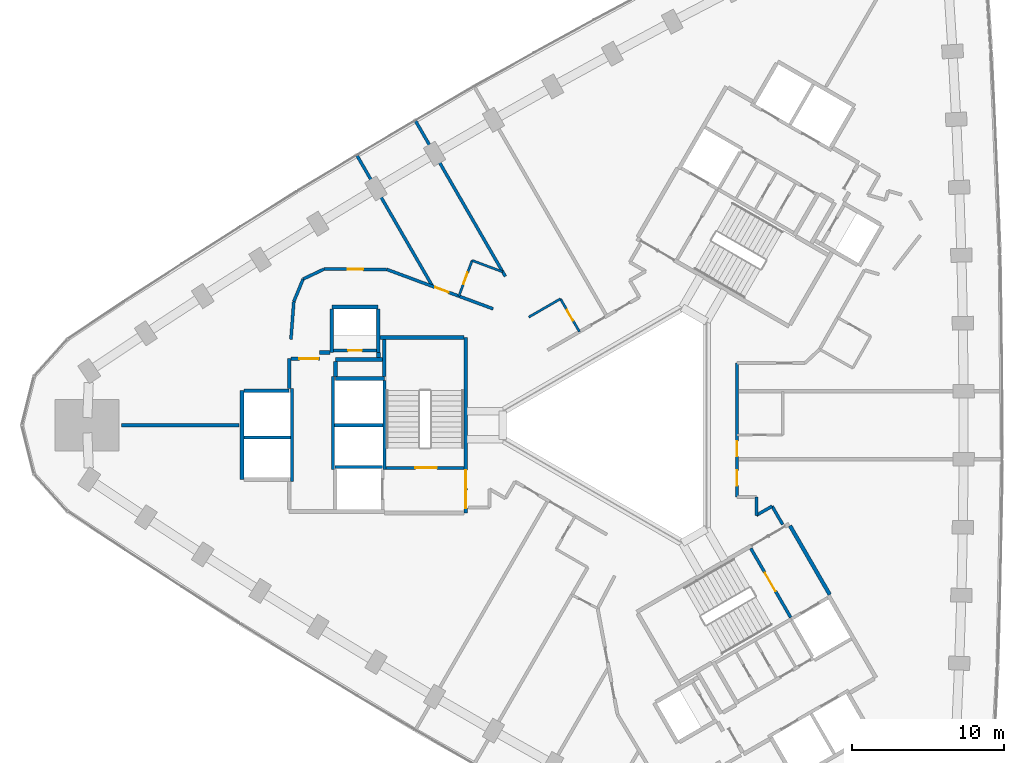
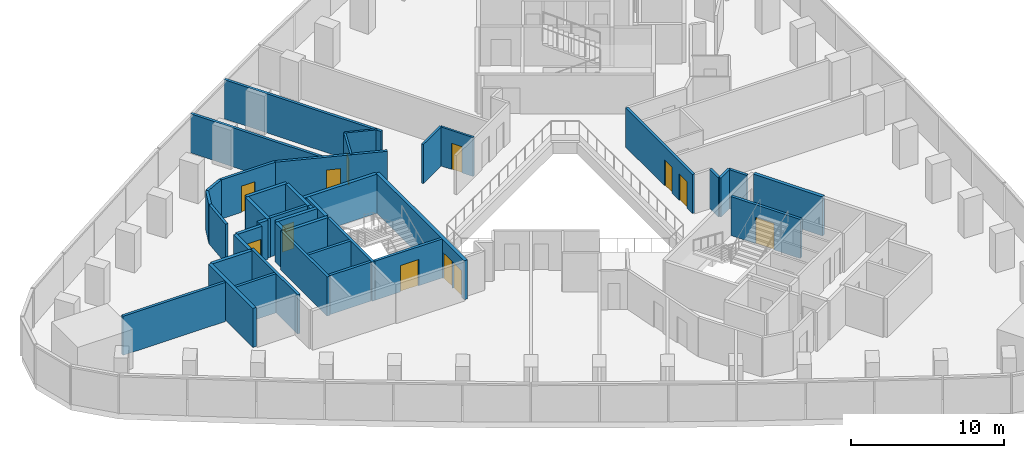
# One storey, part 10 of 13: 41 walls, 12 doors, 12 openings.
"""IFC4 building model written with IfcOpenShell, lengths in metres."""

import ifcopenshell
import ifcopenshell.guid

model = None  # the IFC model being written
_history = None  # IfcOwnerHistory: only IFC2X3 demands one
_inside = {}  # id of a spatial element -> (the spatial element, [elements in it])
_under = {}  # id of a project, library or spatial element -> (it, [spatial elements below it])
_declared = {}  # id of a project -> (the project, [libraries it declares])
_typed = {}  # id of a type object -> (the type object, [elements of that type])
_made_of = {}  # id of a material, layer set ... -> (it, [elements and type objects made of it])


def new_model(schema):
    """Start an empty IFC model of exactly this schema.

    Asked for "IFC4X3", IfcOpenShell would pick the latest addendum, in which some entities
    have other attributes; the version numbers below select the first issue.
    IFC2X3 requires an IfcOwnerHistory on every rooted entity: one is made here for all.
    """
    global model, _history
    if schema == "IFC4X3":
        model = ifcopenshell.file(schema_version=(4, 3, 0, 0))
    else:
        model = ifcopenshell.file(schema=schema)
    _inside.clear()
    _under.clear()
    _declared.clear()
    _typed.clear()
    _made_of.clear()
    _history = None
    if model.schema == "IFC2X3":
        org = make("IfcOrganization", Name="unknown")
        user = make(
            "IfcPersonAndOrganization",
            ThePerson=make("IfcPerson", FamilyName="unknown"),
            TheOrganization=org,
        )
        app = make(
            "IfcApplication",
            ApplicationDeveloper=org,
            Version="unknown",
            ApplicationFullName="unknown",
            ApplicationIdentifier="unknown",
        )
        _history = make(
            "IfcOwnerHistory",
            OwningUser=user,
            OwningApplication=app,
            ChangeAction="ADDED",
            CreationDate=0,
        )
    return model


def make(cls, **values):
    """One entity of the class cls with the attributes given. An attribute that is None is left unset."""
    return model.create_entity(
        cls, **{name: value for name, value in values.items() if value is not None}
    )


def rooted(cls, **values):
    """An entity with a GlobalId (a new one), such as an element, a storey or a relation."""
    return make(cls, GlobalId=ifcopenshell.guid.new(), OwnerHistory=_history, **values)


def si_unit(unit_type, name, prefix=None):
    """IfcSIUnit, for example si_unit("LENGTHUNIT", "METRE", prefix="MILLI")."""
    return make("IfcSIUnit", UnitType=unit_type, Prefix=prefix, Name=name)


def assignment(units):
    """IfcUnitAssignment: the units of a project."""
    return None if units is None else make("IfcUnitAssignment", Units=units)


def point(xyz):
    """IfcCartesianPoint."""
    return None if xyz is None else make("IfcCartesianPoint", Coordinates=xyz)


def direction(xyz):
    """IfcDirection."""
    return None if xyz is None else make("IfcDirection", DirectionRatios=xyz)


def frame(location, z_axis=None, x_axis=None):
    """IfcAxis2Placement3D, a coordinate frame: its origin and axes. An axis left out is left unset."""
    return make(
        "IfcAxis2Placement3D",
        Location=point(location),
        Axis=direction(z_axis),
        RefDirection=direction(x_axis),
    )


def frame_2d(location, x_axis=None):
    """IfcAxis2Placement2D, a coordinate frame in the plane: its origin and x axis."""
    return make(
        "IfcAxis2Placement2D", Location=point(location), RefDirection=direction(x_axis)
    )


def origin():
    """The frame at (0, 0, 0) with its axes left unset."""
    return frame((0.0, 0.0, 0.0))


def place(relative_to, where):
    """IfcLocalPlacement: puts the frame where relative to a parent placement (None: the world)."""
    return make(
        "IfcLocalPlacement", PlacementRelTo=relative_to, RelativePlacement=where
    )


def context(
    kind, dimensions, precision=None, world=None, true_north=None, identifier=None
):
    """IfcGeometricRepresentationContext, for example the 3D "Model" context."""
    return make(
        "IfcGeometricRepresentationContext",
        ContextIdentifier=identifier,
        ContextType=kind,
        CoordinateSpaceDimension=dimensions,
        Precision=precision,
        WorldCoordinateSystem=world,
        TrueNorth=true_north,
    )


def subcontext(parent, identifier, kind, view, scale=None):
    """IfcGeometricRepresentationSubContext, for example "Body" below "Model"."""
    return make(
        "IfcGeometricRepresentationSubContext",
        ContextIdentifier=identifier,
        ContextType=kind,
        ParentContext=parent,
        TargetScale=scale,
        TargetView=view,
    )


def project(units=None, contexts=None):
    """IfcProject with its units and contexts."""
    return rooted(
        "IfcProject",
        Name="project",
        RepresentationContexts=contexts,
        UnitsInContext=assignment(units),
    )


def spatial(cls, under=None, at=None, **own):
    """A site, building, storey or space (cls), placed at a placement, below another one or the project."""
    s = rooted(cls, ObjectPlacement=at, **own)
    if under is not None:
        _under.setdefault(under.id(), (under, []))[1].append(s)
    return s


def profile(cls, at=None, kind="AREA", **sizes):
    """A parametric profile (cls). Its sizes go by their IFC names, for example OverallWidth=200.0."""
    return make(cls, ProfileType=kind, Position=at, **sizes)


def rectangle(**sizes):
    """IfcRectangleProfileDef."""
    return profile("IfcRectangleProfileDef", **sizes)


def extrude(swept, where, along, depth):
    """IfcExtrudedAreaSolid: the profile swept, set in the frame where, extruded along a direction by depth."""
    return make(
        "IfcExtrudedAreaSolid",
        SweptArea=swept,
        Position=where,
        ExtrudedDirection=direction(along),
        Depth=depth,
    )


def shape(context_of_items, identifier, shape_type, items):
    """IfcShapeRepresentation: the items that make up one representation, for example the "Body"."""
    return make(
        "IfcShapeRepresentation",
        ContextOfItems=context_of_items,
        RepresentationIdentifier=identifier,
        RepresentationType=shape_type,
        Items=items,
    )


def material(Name=None, Category=None):
    """IfcMaterial."""
    return make("IfcMaterial", Name=Name, Category=Category)


def layer(
    of_material, thickness, ventilated=None, Name=None, Category=None, Priority=None
):
    """IfcMaterialLayer: one layer of a wall or slab, of a material (None: an air gap)."""
    return make(
        "IfcMaterialLayer",
        Material=of_material,
        LayerThickness=thickness,
        IsVentilated=ventilated,
        Name=Name,
        Category=Category,
        Priority=Priority,
    )


def layer_set(layers, Name=None):
    """IfcMaterialLayerSet."""
    return make("IfcMaterialLayerSet", MaterialLayers=layers, LayerSetName=Name)


def made_of(thing, what):
    """Note that an element or type object is made of a material, layer set ...; save() writes the relation."""
    if what is not None:
        _made_of.setdefault(what.id(), (what, []))[1].append(thing)
    return thing


def type_object(cls, material=None, **own):
    """A type object (cls), such as IfcWallType, which elements share."""
    return made_of(rooted(cls, **own), material)


def element(
    cls,
    number,
    at=None,
    inside=None,
    cuts=None,
    type_object=None,
    material=None,
    context=None,
    identifier="Body",
    shape_type=None,
    held_by="IfcProductDefinitionShape",
    body=None,
    shapes=None,
    **own,
):
    """One element of the class cls, such as IfcWall. Its Tag is "e" and its number.

    at: its placement. inside: the storey or other place that contains it. cuts: it is an
    opening in that element (IfcRelVoidsElement). A single representation is given by context,
    identifier, shape_type and body (its items); several are given by shapes. held_by: the class
    of the entity that holds the representations. save() writes the other relations.
    """
    e = rooted(cls, Tag="e%d" % number, ObjectPlacement=at, **own)
    if body is not None:
        shapes = [shape(context, identifier, shape_type, body)]
    if shapes is not None:
        e.Representation = make(held_by, Representations=shapes)
    if inside is not None:
        _inside.setdefault(inside.id(), (inside, []))[1].append(e)
    if cuts is not None:
        rooted(
            "IfcRelVoidsElement", RelatingBuildingElement=cuts, RelatedOpeningElement=e
        )
    if type_object is not None:
        _typed.setdefault(type_object.id(), (type_object, []))[1].append(e)
    return made_of(e, material)


def fill(opening, filler):
    """IfcRelFillsElement: the door or window that sits in an opening."""
    return rooted(
        "IfcRelFillsElement",
        RelatingOpeningElement=opening,
        RelatedBuildingElement=filler,
    )


def aggregate(whole, parts):
    """IfcRelAggregates: a whole, such as a stair, and the parts it consists of."""
    return rooted("IfcRelAggregates", RelatingObject=whole, RelatedObjects=parts)


def save(model, path):
    """Write the relations noted so far, then the file.

    IfcRelAggregates (storeys below a building ...), IfcRelContainedInSpatialStructure (elements
    in a storey), IfcRelDefinesByType, IfcRelAssociatesMaterial and IfcRelDeclares: one each for
    every whole, place, type object, material and project.
    """
    for whole, parts in _under.values():
        aggregate(whole, parts)
    for where, things in _inside.values():
        rooted(
            "IfcRelContainedInSpatialStructure",
            RelatedElements=things,
            RelatingStructure=where,
        )
    for kind, things in _typed.values():
        rooted("IfcRelDefinesByType", RelatedObjects=things, RelatingType=kind)
    for what, things in _made_of.values():
        rooted("IfcRelAssociatesMaterial", RelatedObjects=things, RelatingMaterial=what)
    for by, libraries in _declared.values():
        rooted("IfcRelDeclares", RelatingContext=by, RelatedDefinitions=libraries)
    model.write(path)


model = new_model("IFC4")

# Units and contexts
model_context = context("Model", 3, precision=1e-05, world=origin(), true_north=direction((0.0, 1.0)))
body_context = subcontext(model_context, "Body", "Model", "MODEL_VIEW")
ifc_project = project(units=[si_unit("LENGTHUNIT", "METRE"), si_unit("AREAUNIT", "SQUARE_METRE"), si_unit("VOLUMEUNIT", "CUBIC_METRE"), si_unit("PLANEANGLEUNIT", "RADIAN"), si_unit("MASSUNIT", "GRAM", prefix="KILO")], contexts=[model_context])

# Site, building, storey
site_placement = place(None, origin())
site = spatial("IfcSite", under=ifc_project, at=site_placement, CompositionType="ELEMENT")
building_placement = place(site_placement, origin())
building = spatial("IfcBuilding", under=site, at=building_placement, Name="Tamra Quay Hotel Tower", CompositionType="ELEMENT")
storey_placement = place(building_placement, frame((0.0, 0.0, 49.39990234375)))
storey = spatial("IfcBuildingStorey", under=building, at=storey_placement, Name="L10", CompositionType="ELEMENT", Elevation=49.39990234375)

# Walls
ifc_material_1 = material(Name="Concrete M70", Category="concrete")
ifc_layer_1 = layer(ifc_material_1, 0.199951171875)
ifc_layer_set_1 = layer_set([ifc_layer_1], Name="Concrete M70 core wall 200")
wall_type_1 = type_object("IfcWallType", Name="Concrete M70 core wall 200", PredefinedType="SHEAR", material=ifc_layer_set_1)
wall_1_placement = place(storey_placement, frame((-16.162109375, 2.95068359375, 0.0), z_axis=(0.0, 0.0, 1.0), x_axis=(0.0, -1.0, 0.0)))
element("IfcWall", 1, at=wall_1_placement, inside=storey, type_object=wall_type_1, Name="CW2", PredefinedType="SHEAR", context=body_context, shape_type="SweptSolid", body=[
    extrude(rectangle(XDim=5.850830078125, YDim=0.199951171875, at=frame_2d((2.92529296875, 0.0))), origin(), (0.0, 0.0, 1.0), 3.125),
])
for number, where, z_axis, x_axis, name in (
    (2, (-19.5625, -2.900146484375, 0.0), (0.0, 0.0, 1.0), (0.0, 1.0, 0.0), "CW2"),
    (3, (-22.26220703125, 2.400146484375, 0.0), (0.0, 0.0, 1.0), (0.0, -1.0, 0.0), "CW2"),
):
    element("IfcWall", number, at=place(storey_placement, frame(where, z_axis=z_axis, x_axis=x_axis)), inside=storey, type_object=wall_type_1, Name=name, PredefinedType="SHEAR", context=body_context, shape_type="SweptSolid", body=[
        extrude(rectangle(XDim=6.100341796875, YDim=0.199951171875, at=frame_2d((3.05029296875, 0.0))), origin(), (0.0, 0.0, 1.0), 3.125),
    ])

# Wall, opening, door
wall_2_placement = place(storey_placement, frame((-10.96337890625, -2.800048828125, 0.0), z_axis=(0.0, 0.0, 1.0), x_axis=(-1.0, 0.0, 0.0)))
wall_2 = element("IfcWall", 4, at=wall_2_placement, inside=storey, type_object=wall_type_1, Name="CW2", PredefinedType="SHEAR", context=body_context, shape_type="SweptSolid", body=[
    extrude(rectangle(XDim=5.097900390625, YDim=0.199951171875, at=frame_2d((2.548828125, 0.0))), origin(), (0.0, 0.0, 1.0), 3.125),
])
opening_1_placement = place(wall_2_placement, frame((1.77392578125, 0.0, 0.0)))
opening_1 = element("IfcOpeningElement", 5, at=opening_1_placement, cuts=wall_2, Name="Opening FD2", PredefinedType="OPENING", context=body_context, shape_type="SweptSolid", body=[
    extrude(rectangle(XDim=1.39990234375, YDim=2.10009765625, at=frame_2d((0.699951171875, 1.050048828125))), frame((0.0, 0.10986328125, 0.0), z_axis=(0.0, -1.0, 0.0), x_axis=(1.0, 0.0, 0.0)), (0.0, 0.0, 1.0), 0.219970703125),
])
ifc_material_2 = material(Name="Core door FD2 1400x2100 RH")
door_type_1 = type_object("IfcDoorType", Name="Core door FD2 1400x2100 RH", OperationType="NOTDEFINED", PredefinedType="DOOR", material=ifc_material_2)
door_1_placement = place(opening_1_placement, origin())
door_1 = element("IfcDoor", 6, at=door_1_placement, inside=storey, type_object=door_type_1, Name="FD2", OperationType="SINGLE_SWING_RIGHT", OverallHeight=2.10009765625, OverallWidth=1.39990234375, PredefinedType="DOOR", context=body_context, shape_type="SweptSolid", body=[
    extrude(rectangle(XDim=1.39990234375, YDim=2.10009765625, at=frame_2d((0.699951171875, 1.050048828125))), frame((0.0, 0.02490234375, 0.0), z_axis=(0.0, -1.0, 0.0), x_axis=(1.0, 0.0, 0.0)), (0.0, 0.0, 1.0), 0.050048828125),
])
fill(opening_1, door_1)

# Walls
wall_3_placement = place(storey_placement, frame((-16.26318359375, 0.0, 0.0), z_axis=(0.0, 0.0, 1.0), x_axis=(-1.0, 0.0, 0.0)))
element("IfcWall", 7, at=wall_3_placement, inside=storey, type_object=wall_type_1, Name="CW2", PredefinedType="SHEAR", context=body_context, shape_type="SweptSolid", body=[
    extrude(rectangle(XDim=3.1982421875, YDim=0.199951171875, at=frame_2d((1.59912109375, 0.0))), origin(), (0.0, 0.0, 1.0), 3.125),
])
wall_4_placement = place(storey_placement, frame((-22.36328125, -0.800048828125, 0.0), z_axis=(0.0, 0.0, 1.0), x_axis=(-1.0, 0.0, 0.0)))
element("IfcWall", 8, at=wall_4_placement, inside=storey, type_object=wall_type_1, Name="CW2", PredefinedType="SHEAR", context=body_context, shape_type="SweptSolid", body=[
    extrude(rectangle(XDim=3.048095703125, YDim=0.199951171875, at=frame_2d((1.52392578125, 0.0))), origin(), (0.0, 0.0, 1.0), 3.125),
])

# Wall, opening, door
wall_5_placement = place(storey_placement, frame((-19.51123046875, 4.91015625, 0.0), z_axis=(0.0, 0.0, 1.0), x_axis=(1.0, 0.0, 0.0)))
wall_5 = element("IfcWall", 9, at=wall_5_placement, inside=storey, type_object=wall_type_1, Name="CW2", PredefinedType="SHEAR", context=body_context, shape_type="SweptSolid", body=[
    extrude(rectangle(XDim=2.7978515625, YDim=0.199951171875, at=frame_2d((1.39892578125, 0.0))), origin(), (0.0, 0.0, 1.0), 3.125),
])
opening_2_placement = place(wall_5_placement, frame((0.948974609375, 0.0, 0.0)))
opening_2 = element("IfcOpeningElement", 10, at=opening_2_placement, cuts=wall_5, Name="Opening D1", PredefinedType="OPENING", context=body_context, shape_type="SweptSolid", body=[
    extrude(rectangle(XDim=0.89990234375, YDim=2.10009765625, at=frame_2d((0.449951171875, 1.050048828125))), frame((0.0, 0.10986328125, 0.0), z_axis=(0.0, -1.0, 0.0), x_axis=(1.0, 0.0, 0.0)), (0.0, 0.0, 1.0), 0.219970703125),
])
ifc_material_3 = material(Name="Core door D1 900x2100 LH")
door_type_2 = type_object("IfcDoorType", Name="Core door D1 900x2100 LH", OperationType="NOTDEFINED", PredefinedType="DOOR", material=ifc_material_3)
door_2_placement = place(opening_2_placement, origin())
door_2 = element("IfcDoor", 11, at=door_2_placement, inside=storey, type_object=door_type_2, Name="D1", OperationType="SINGLE_SWING_LEFT", OverallHeight=2.10009765625, OverallWidth=0.89990234375, PredefinedType="DOOR", context=body_context, shape_type="SweptSolid", body=[
    extrude(rectangle(XDim=0.89990234375, YDim=2.10009765625, at=frame_2d((0.449951171875, 1.050048828125))), frame((0.0, 0.02490234375, 0.0), z_axis=(0.0, -1.0, 0.0), x_axis=(1.0, 0.0, 0.0)), (0.0, 0.0, 1.0), 0.050048828125),
])
fill(opening_2, door_2)

# Wall
wall_6_placement = place(storey_placement, frame((-19.412353515625, -2.75, 0.0), z_axis=(0.0, 0.0, 1.0), x_axis=(1.0, 0.0, 0.0)))
element("IfcWall", 12, at=wall_6_placement, inside=storey, type_object=wall_type_1, Name="CW2", PredefinedType="SHEAR", context=body_context, shape_type="SweptSolid", body=[
    extrude(rectangle(XDim=3.10009765625, YDim=0.199951171875, at=frame_2d((1.550048828125, 0.0))), origin(), (0.0, 0.0, 1.0), 3.125),
])

# Wall, opening, door
wall_7_placement = place(storey_placement, frame((7.906494140625, -8.094482421875, 0.0), z_axis=(0.0, 0.0, 1.0), x_axis=(0.500024287448, -0.866011380966, 0.0)))
wall_7 = element("IfcWall", 13, at=wall_7_placement, inside=storey, type_object=wall_type_1, Name="CW2", PredefinedType="SHEAR", context=body_context, shape_type="SweptSolid", body=[
    extrude(rectangle(XDim=5.251220703125, YDim=0.199951171875, at=frame_2d((2.62548828125, 0.0))), origin(), (0.0, 0.0, 1.0), 3.125),
])
opening_3_placement = place(wall_7_placement, frame((1.84912109375, 0.0, 0.0)))
opening_3 = element("IfcOpeningElement", 14, at=opening_3_placement, cuts=wall_7, Name="Opening FD2", PredefinedType="OPENING", context=body_context, shape_type="SweptSolid", body=[
    extrude(rectangle(XDim=1.39990234375, YDim=2.10009765625, at=frame_2d((0.699951171875, 1.050048828125))), frame((0.0, 0.10986328125, 0.0), z_axis=(0.0, -1.0, 0.0), x_axis=(1.0, 0.0, 0.0)), (0.0, 0.0, 1.0), 0.219970703125),
])
ifc_material_4 = material(Name="Core door FD2 1400x2100 LH")
door_type_3 = type_object("IfcDoorType", Name="Core door FD2 1400x2100 LH", OperationType="NOTDEFINED", PredefinedType="DOOR", material=ifc_material_4)
door_3_placement = place(opening_3_placement, origin())
door_3 = element("IfcDoor", 15, at=door_3_placement, inside=storey, type_object=door_type_3, Name="FD2", OperationType="SINGLE_SWING_LEFT", OverallHeight=2.10009765625, OverallWidth=1.39990234375, PredefinedType="DOOR", context=body_context, shape_type="SweptSolid", body=[
    extrude(rectangle(XDim=1.39990234375, YDim=2.10009765625, at=frame_2d((0.699951171875, 1.050048828125))), frame((0.0, 0.02490234375, 0.0), z_axis=(0.0, -1.0, 0.0), x_axis=(1.0, 0.0, 0.0)), (0.0, 0.0, 1.0), 0.050048828125),
])
fill(opening_3, door_3)

# Wall, openings, doors
ifc_layer_2 = layer(ifc_material_1, 0.25)
ifc_layer_set_2 = layer_set([ifc_layer_2], Name="Concrete M70 core wall 250")
wall_type_2 = type_object("IfcWallType", Name="Concrete M70 core wall 250", PredefinedType="SHEAR", material=ifc_layer_set_2)
wall_8_placement = place(storey_placement, frame((-10.83740234375, 5.77490234375, 0.0), z_axis=(0.0, 0.0, 1.0), x_axis=(0.0, -1.0, 0.0)))
wall_8 = element("IfcWall", 16, at=wall_8_placement, inside=storey, type_object=wall_type_2, Name="CW1", PredefinedType="SHEAR", context=body_context, shape_type="SweptSolid", body=[
    extrude(rectangle(XDim=11.5498046875, YDim=0.25, at=frame_2d((5.77490234375, 0.0))), origin(), (0.0, 0.0, 1.0), 3.125),
])
opening_4_placement = place(wall_8_placement, frame((10.02490234375, 0.0, 0.0)))
opening_4 = element("IfcOpeningElement", 17, at=opening_4_placement, cuts=wall_8, Name="Opening FD1", PredefinedType="OPENING", context=body_context, shape_type="SweptSolid", body=[
    extrude(rectangle(XDim=1.199951171875, YDim=2.10009765625, at=frame_2d((0.60009765625, 1.050048828125))), frame((0.0, 0.135009765625, 0.0), z_axis=(0.0, -1.0, 0.0), x_axis=(1.0, 0.0, 0.0)), (0.0, 0.0, 1.0), 0.27001953125),
])
opening_5_placement = place(wall_8_placement, frame((8.72509765625, 0.0, 0.0)))
opening_5 = element("IfcOpeningElement", 18, at=opening_5_placement, cuts=wall_8, Name="Opening FD1", PredefinedType="OPENING", context=body_context, shape_type="SweptSolid", body=[
    extrude(rectangle(XDim=1.199951171875, YDim=2.10009765625, at=frame_2d((0.60009765625, 1.050048828125))), frame((0.0, 0.135009765625, 0.0), z_axis=(0.0, -1.0, 0.0), x_axis=(1.0, 0.0, 0.0)), (0.0, 0.0, 1.0), 0.27001953125),
])
ifc_material_5 = material(Name="Core door FD1 1200x2100 LH")
door_type_4 = type_object("IfcDoorType", Name="Core door FD1 1200x2100 LH", OperationType="NOTDEFINED", PredefinedType="DOOR", material=ifc_material_5)
door_4_placement = place(opening_4_placement, origin())
door_4 = element("IfcDoor", 19, at=door_4_placement, inside=storey, type_object=door_type_4, Name="FD1", OperationType="SINGLE_SWING_LEFT", OverallHeight=2.10009765625, OverallWidth=1.199951171875, PredefinedType="DOOR", context=body_context, shape_type="SweptSolid", body=[
    extrude(rectangle(XDim=1.199951171875, YDim=2.10009765625, at=frame_2d((0.60009765625, 1.050048828125))), frame((0.0, 0.02490234375, 0.0), z_axis=(0.0, -1.0, 0.0), x_axis=(1.0, 0.0, 0.0)), (0.0, 0.0, 1.0), 0.050048828125),
])
fill(opening_4, door_4)
ifc_material_6 = material(Name="Core door FD1 1200x2100 RH")
door_type_5 = type_object("IfcDoorType", Name="Core door FD1 1200x2100 RH", OperationType="NOTDEFINED", PredefinedType="DOOR", material=ifc_material_6)
door_5_placement = place(opening_5_placement, origin())
door_5 = element("IfcDoor", 20, at=door_5_placement, inside=storey, type_object=door_type_5, Name="FD1", OperationType="SINGLE_SWING_RIGHT", OverallHeight=2.10009765625, OverallWidth=1.199951171875, PredefinedType="DOOR", context=body_context, shape_type="SweptSolid", body=[
    extrude(rectangle(XDim=1.199951171875, YDim=2.10009765625, at=frame_2d((0.60009765625, 1.050048828125))), frame((0.0, 0.02490234375, 0.0), z_axis=(0.0, -1.0, 0.0), x_axis=(1.0, 0.0, 0.0)), (0.0, 0.0, 1.0), 0.050048828125),
])
fill(opening_5, door_5)

# Walls
wall_9_placement = place(storey_placement, frame((-25.537353515625, -3.574951171875, 0.0), z_axis=(0.0, 0.0, 1.0), x_axis=(0.0, 1.0, 0.0)))
element("IfcWall", 21, at=wall_9_placement, inside=storey, type_object=wall_type_2, Name="CW1", PredefinedType="SHEAR", context=body_context, shape_type="SweptSolid", body=[
    extrude(rectangle(XDim=5.849853515625, YDim=0.25, at=frame_2d((2.9248046875, 0.0))), origin(), (0.0, 0.0, 1.0), 3.125),
])
wall_10_placement = place(storey_placement, frame((-16.47216796875, 5.77490234375, 0.0), z_axis=(0.0, 0.0, 1.0), x_axis=(1.0, 0.0, 0.0)))
element("IfcWall", 22, at=wall_10_placement, inside=storey, type_object=wall_type_2, Name="CW1", PredefinedType="SHEAR", context=body_context, shape_type="SweptSolid", body=[
    extrude(rectangle(XDim=5.509521484375, YDim=0.25, at=frame_2d((2.7548828125, 0.0))), origin(), (0.0, 0.0, 1.0), 3.125),
])
wall_11_placement = place(storey_placement, frame((-19.38720703125, 3.074951171875, 0.0), z_axis=(0.0, 0.0, 1.0), x_axis=(1.0, 0.0, 0.0)))
element("IfcWall", 23, at=wall_11_placement, inside=storey, type_object=wall_type_2, Name="CW1", PredefinedType="SHEAR", context=body_context, shape_type="SweptSolid", body=[
    extrude(rectangle(XDim=3.199951171875, YDim=0.25, at=frame_2d((1.60009765625, 0.0))), origin(), (0.0, 0.0, 1.0), 3.125),
])
wall_12_placement = place(storey_placement, frame((-25.411865234375, 2.27490234375, 0.0), z_axis=(0.0, 0.0, 1.0), x_axis=(1.0, 0.0, 0.0)))
element("IfcWall", 24, at=wall_12_placement, inside=storey, type_object=wall_type_2, Name="CW1", PredefinedType="SHEAR", context=body_context, shape_type="SweptSolid", body=[
    extrude(rectangle(XDim=2.974609375, YDim=0.25, at=frame_2d((1.4873046875, 0.0))), origin(), (0.0, 0.0, 1.0), 3.125),
])
wall_13_placement = place(storey_placement, frame((-19.63720703125, 7.77490234375, 0.0), z_axis=(0.0, 0.0, 1.0), x_axis=(1.0, 0.0, 0.0)))
element("IfcWall", 25, at=wall_13_placement, inside=storey, type_object=wall_type_2, Name="CW1", PredefinedType="SHEAR", context=body_context, shape_type="SweptSolid", body=[
    extrude(rectangle(XDim=3.0498046875, YDim=0.25, at=frame_2d((1.52490234375, 0.0))), origin(), (0.0, 0.0, 1.0), 3.125),
])
for number, where, z_axis, x_axis, name in (
    (26, (-16.58740234375, 7.649658203125, 0.0), (0.0, 0.0, 1.0), (0.0, -1.0, 0.0), "CW1"),
    (27, (-19.63720703125, 4.784912109375, 0.0), (0.0, 0.0, 1.0), (0.0, 1.0, 0.0), "CW1"),
):
    element("IfcWall", number, at=place(storey_placement, frame(where, z_axis=z_axis, x_axis=x_axis)), inside=storey, type_object=wall_type_2, Name=name, PredefinedType="SHEAR", context=body_context, shape_type="SweptSolid", body=[
        extrude(rectangle(XDim=2.86474609375, YDim=0.25, at=frame_2d((1.432373046875, 0.0))), origin(), (0.0, 0.0, 1.0), 3.125),
    ])
wall_14_placement = place(storey_placement, frame((-16.30224609375, 4.31494140625, 0.0), z_axis=(0.0, 0.0, 1.0), x_axis=(-1.0, 0.0, 0.0)))
element("IfcWall", 28, at=wall_14_placement, inside=storey, type_object=wall_type_2, Name="CW1", PredefinedType="SHEAR", context=body_context, shape_type="SweptSolid", body=[
    extrude(rectangle(XDim=3.0849609375, YDim=0.25, at=frame_2d((1.54248046875, 0.0))), origin(), (0.0, 0.0, 1.0), 3.125),
])
wall_15_placement = place(storey_placement, frame((-16.187255859375, 3.200439453125, 0.0), z_axis=(0.0, 0.0, 1.0), x_axis=(0.0, 1.0, 0.0)))
element("IfcWall", 29, at=wall_15_placement, inside=storey, type_object=wall_type_2, Name="CW1", PredefinedType="SHEAR", context=body_context, shape_type="SweptSolid", body=[
    extrude(rectangle(XDim=2.44921875, YDim=0.25, at=frame_2d((1.224609375, 0.0))), origin(), (0.0, 0.0, 1.0), 3.125),
])
wall_16_placement = place(storey_placement, frame((-22.437255859375, 2.400390625, 0.0), z_axis=(0.0, 0.0, 1.0), x_axis=(0.0, 1.0, 0.0)))
element("IfcWall", 30, at=wall_16_placement, inside=storey, type_object=wall_type_2, Name="CW1", PredefinedType="SHEAR", context=body_context, shape_type="SweptSolid", body=[
    extrude(rectangle(XDim=1.974609375, YDim=0.25, at=frame_2d((0.9873046875, 0.0))), origin(), (0.0, 0.0, 1.0), 3.125),
])

# Wall, opening, door
wall_17_placement = place(storey_placement, frame((-22.311767578125, 4.375, 0.0), z_axis=(0.0, 0.0, 1.0), x_axis=(1.0, 0.0, 0.0)))
wall_17 = element("IfcWall", 31, at=wall_17_placement, inside=storey, type_object=wall_type_2, Name="CW1", PredefinedType="SHEAR", context=body_context, shape_type="SweptSolid", body=[
    extrude(rectangle(XDim=1.864501953125, YDim=0.25, at=frame_2d((0.93212890625, 0.0))), origin(), (0.0, 0.0, 1.0), 3.125),
])
opening_6_placement = place(wall_17_placement, frame((0.53466796875, 0.0, 0.0)))
opening_6 = element("IfcOpeningElement", 32, at=opening_6_placement, cuts=wall_17, Name="Opening FD3", PredefinedType="OPENING", context=body_context, shape_type="SweptSolid", body=[
    extrude(rectangle(XDim=1.25, YDim=2.10009765625, at=frame_2d((0.625, 1.050048828125))), frame((0.0, 0.135009765625, 0.0), z_axis=(0.0, -1.0, 0.0), x_axis=(1.0, 0.0, 0.0)), (0.0, 0.0, 1.0), 0.27001953125),
])
ifc_material_7 = material(Name="Core door FD3 1250x2100 LH")
door_type_6 = type_object("IfcDoorType", Name="Core door FD3 1250x2100 LH", OperationType="NOTDEFINED", PredefinedType="DOOR", material=ifc_material_7)
door_6_placement = place(opening_6_placement, origin())
door_6 = element("IfcDoor", 33, at=door_6_placement, inside=storey, type_object=door_type_6, Name="FD3", OperationType="SINGLE_SWING_LEFT", OverallHeight=2.10009765625, OverallWidth=1.25, PredefinedType="DOOR", context=body_context, shape_type="SweptSolid", body=[
    extrude(rectangle(XDim=1.25, YDim=2.10009765625, at=frame_2d((0.625, 1.050048828125))), frame((0.0, 0.02490234375, 0.0), z_axis=(0.0, -1.0, 0.0), x_axis=(1.0, 0.0, 0.0)), (0.0, 0.0, 1.0), 0.050048828125),
])
fill(opening_6, door_6)

# Walls
wall_18_placement = place(storey_placement, frame((-19.38720703125, 4.189697265625, 0.0), z_axis=(0.0, 0.0, 1.0), x_axis=(0.0, -1.0, 0.0)))
element("IfcWall", 34, at=wall_18_placement, inside=storey, type_object=wall_type_2, Name="CW1", PredefinedType="SHEAR", context=body_context, shape_type="SweptSolid", body=[
    extrude(rectangle(XDim=0.9892578125, YDim=0.25, at=frame_2d((0.49462890625, 0.0))), origin(), (0.0, 0.0, 1.0), 3.125),
])
wall_19_placement = place(storey_placement, frame((-20.447265625, 4.784912109375, 0.0), z_axis=(0.0, 0.0, 1.0), x_axis=(1.0, 0.0, 0.0)))
element("IfcWall", 35, at=wall_19_placement, inside=storey, type_object=wall_type_2, Name="CW1", PredefinedType="SHEAR", context=body_context, shape_type="SweptSolid", body=[
    extrude(rectangle(XDim=0.6845703125, YDim=0.25, at=frame_2d((0.34228515625, 0.0))), origin(), (0.0, 0.0, 1.0), 3.125),
])
wall_20_placement = place(storey_placement, frame((-16.577392578125, 4.784912109375, 0.0), z_axis=(0.0, 0.0, 1.0), x_axis=(0.0, -1.0, 0.0)))
element("IfcWall", 36, at=wall_20_placement, inside=storey, type_object=wall_type_2, Name="CW1", PredefinedType="SHEAR", context=body_context, shape_type="SweptSolid", body=[
    extrude(rectangle(XDim=0.344482421875, YDim=0.25, at=frame_2d((0.17236328125, 0.0))), origin(), (0.0, 0.0, 1.0), 3.125),
])
wall_21_placement = place(storey_placement, frame((10.482666015625, -6.6064453125, 0.0), z_axis=(0.0, 0.0, 1.0), x_axis=(0.49999885962, -0.866026062182, 0.0)))
element("IfcWall", 37, at=wall_21_placement, inside=storey, type_object=wall_type_2, Name="CW1", PredefinedType="SHEAR", context=body_context, shape_type="SweptSolid", body=[
    extrude(rectangle(XDim=5.224609375, YDim=0.25, at=frame_2d((2.6123046875, 0.0))), origin(), (0.0, 0.0, 1.0), 3.125),
])
ifc_material_8 = material(Name="Partition corridor wall")
ifc_layer_3 = layer(ifc_material_8, 0.199951171875)
ifc_layer_set_3 = layer_set([ifc_layer_3], Name="Partition corridor wall")
wall_type_3 = type_object("IfcWallType", Name="Partition corridor wall", PredefinedType="PARTITIONING", material=ifc_layer_set_3)
wall_22_placement = place(storey_placement, frame((-22.135009765625, 8.1298828125, 0.0), z_axis=(0.0, 0.0, 1.0), x_axis=(-0.076073461031, -0.997102215686, 0.0)))
element("IfcWall", 38, at=wall_22_placement, inside=storey, type_object=wall_type_3, Name="W-C", PredefinedType="PARTITIONING", context=body_context, shape_type="SweptSolid", body=[
    extrude(rectangle(XDim=2.4873046875, YDim=0.199951171875, at=frame_2d((1.24365234375, 0.0))), origin(), (0.0, 0.0, 1.0), 3.125),
])
wall_23_placement = place(storey_placement, frame((-22.135009765625, 8.134033203125, 0.0), z_axis=(0.0, 0.0, 1.0), x_axis=(0.383208453534, 0.923661886807, 0.0)))
element("IfcWall", 39, at=wall_23_placement, inside=storey, type_object=wall_type_3, Name="W-C", PredefinedType="PARTITIONING", context=body_context, shape_type="SweptSolid", body=[
    extrude(rectangle(XDim=1.602294921875, YDim=0.199951171875, at=frame_2d((0.80126953125, 0.0))), origin(), (0.0, 0.0, 1.0), 3.125),
])
wall_24_placement = place(storey_placement, frame((-21.52099609375, 9.614013671875, 0.0), z_axis=(0.0, 0.0, 1.0), x_axis=(0.904083527367, 0.427355795028, 0.0)))
element("IfcWall", 40, at=wall_24_placement, inside=storey, type_object=wall_type_3, Name="W-C", PredefinedType="PARTITIONING", context=body_context, shape_type="SweptSolid", body=[
    extrude(rectangle(XDim=1.52294921875, YDim=0.199951171875, at=frame_2d((0.761474609375, 0.0))), origin(), (0.0, 0.0, 1.0), 3.125),
])

# Wall, opening, door
wall_25_placement = place(storey_placement, frame((-20.14306640625, 10.26611328125, 0.0), z_axis=(0.0, 0.0, 1.0), x_axis=(0.999989297417, -0.004626559416, 0.0)))
wall_25 = element("IfcWall", 41, at=wall_25_placement, inside=storey, type_object=wall_type_3, Name="W-C", PredefinedType="PARTITIONING", context=body_context, shape_type="SweptSolid", body=[
    extrude(rectangle(XDim=4.115966796875, YDim=0.199951171875, at=frame_2d((2.05810546875, 0.0))), origin(), (0.0, 0.0, 1.0), 3.125),
])
opening_7_placement = place(wall_25_placement, frame((1.55810546875, 0.0, 0.0)))
opening_7 = element("IfcOpeningElement", 42, at=opening_7_placement, cuts=wall_25, Name="Opening L10-D011", PredefinedType="OPENING", context=body_context, shape_type="SweptSolid", body=[
    extrude(rectangle(XDim=1.0, YDim=2.10009765625, at=frame_2d((0.5, 1.050048828125))), frame((0.0, 0.10986328125, 0.0), z_axis=(0.0, -1.0, 0.0), x_axis=(1.0, 0.0, 0.0)), (0.0, 0.0, 1.0), 0.219970703125),
])
ifc_material_9 = material(Name="Door guest room 1000x2100")
door_type_7 = type_object("IfcDoorType", Name="Door guest room 1000x2100", OperationType="NOTDEFINED", PredefinedType="DOOR", material=ifc_material_9)
door_7_placement = place(opening_7_placement, frame((1.0, 0.0, 0.0), z_axis=(0.0, 0.0, 1.0), x_axis=(-1.0, 0.0, 0.0)))
door_7 = element("IfcDoor", 43, at=door_7_placement, inside=storey, type_object=door_type_7, Name="L10-D011", OperationType="SINGLE_SWING_LEFT", OverallHeight=2.10009765625, OverallWidth=1.0, PredefinedType="DOOR", context=body_context, shape_type="SweptSolid", body=[
    extrude(rectangle(XDim=1.0, YDim=2.10009765625, at=frame_2d((0.5, 1.050048828125))), frame((0.0, 0.02490234375, 0.0), z_axis=(0.0, -1.0, 0.0), x_axis=(1.0, 0.0, 0.0)), (0.0, 0.0, 1.0), 0.050048828125),
])
fill(opening_7, door_7)

wall_26_placement = place(storey_placement, frame((-16.02587890625, 10.24609375, 0.0), z_axis=(0.0, 0.0, 1.0), x_axis=(0.937598236139, -0.347720502112, 0.0)))
wall_26 = element("IfcWall", 44, at=wall_26_placement, inside=storey, type_object=wall_type_3, Name="W-C", PredefinedType="PARTITIONING", context=body_context, shape_type="SweptSolid", body=[
    extrude(rectangle(XDim=7.45849609375, YDim=0.199951171875, at=frame_2d((3.729248046875, 0.0))), origin(), (0.0, 0.0, 1.0), 3.125),
])
opening_8_placement = place(wall_26_placement, frame((3.3955078125, 0.0, 0.0)))
opening_8 = element("IfcOpeningElement", 45, at=opening_8_placement, cuts=wall_26, Name="Opening L10-D009", PredefinedType="OPENING", context=body_context, shape_type="SweptSolid", body=[
    extrude(rectangle(XDim=0.949951171875, YDim=2.10009765625, at=frame_2d((0.47509765625, 1.050048828125))), frame((0.0, 0.10986328125, 0.0), z_axis=(0.0, -1.0, 0.0), x_axis=(1.0, 0.0, 0.0)), (0.0, 0.0, 1.0), 0.219970703125),
])
ifc_material_10 = material(Name="Door guest room 950x2100")
door_type_8 = type_object("IfcDoorType", Name="Door guest room 950x2100", OperationType="NOTDEFINED", PredefinedType="DOOR", material=ifc_material_10)
door_8_placement = place(opening_8_placement, origin())
door_8 = element("IfcDoor", 46, at=door_8_placement, inside=storey, type_object=door_type_8, Name="L10-D009", OperationType="SINGLE_SWING_LEFT", OverallHeight=2.10009765625, OverallWidth=0.949951171875, PredefinedType="DOOR", context=body_context, shape_type="SweptSolid", body=[
    extrude(rectangle(XDim=0.949951171875, YDim=2.10009765625, at=frame_2d((0.47509765625, 1.050048828125))), frame((0.0, 0.02490234375, 0.0), z_axis=(0.0, -1.0, 0.0), x_axis=(1.0, 0.0, 0.0)), (0.0, 0.0, 1.0), 0.050048828125),
])
fill(opening_8, door_8)

# Wall, openings, doors
wall_27_placement = place(storey_placement, frame((7.0, -4.720947265625, 0.0), z_axis=(0.0, 0.0, 1.0), x_axis=(0.0, 1.0, 0.0)))
wall_27 = element("IfcWall", 47, at=wall_27_placement, inside=storey, type_object=wall_type_3, Name="W-C", PredefinedType="PARTITIONING", context=body_context, shape_type="SweptSolid", body=[
    extrude(rectangle(XDim=8.798828125, YDim=0.199951171875, at=frame_2d((4.3994140625, 0.0))), origin(), (0.0, 0.0, 1.0), 3.125),
])
opening_9_placement = place(wall_27_placement, frame((0.7490234375, 0.0, 0.0)))
opening_9 = element("IfcOpeningElement", 48, at=opening_9_placement, cuts=wall_27, Name="Opening L10-D001", PredefinedType="OPENING", context=body_context, shape_type="SweptSolid", body=[
    extrude(rectangle(XDim=1.0, YDim=2.10009765625, at=frame_2d((0.5, 1.050048828125))), frame((0.0, 0.10986328125, 0.0), z_axis=(0.0, -1.0, 0.0), x_axis=(1.0, 0.0, 0.0)), (0.0, 0.0, 1.0), 0.219970703125),
])
opening_10_placement = place(wall_27_placement, frame((2.674072265625, 0.0, 0.0)))
opening_10 = element("IfcOpeningElement", 49, at=opening_10_placement, cuts=wall_27, Name="Opening L10-D002", PredefinedType="OPENING", context=body_context, shape_type="SweptSolid", body=[
    extrude(rectangle(XDim=1.0, YDim=2.10009765625, at=frame_2d((0.5, 1.050048828125))), frame((0.0, 0.10986328125, 0.0), z_axis=(0.0, -1.0, 0.0), x_axis=(1.0, 0.0, 0.0)), (0.0, 0.0, 1.0), 0.219970703125),
])
door_9_placement = place(opening_9_placement, frame((1.0, 0.0, 0.0), z_axis=(0.0, 0.0, 1.0), x_axis=(-1.0, 0.0, 0.0)))
door_9 = element("IfcDoor", 50, at=door_9_placement, inside=storey, type_object=door_type_7, Name="L10-D001", OperationType="SINGLE_SWING_LEFT", OverallHeight=2.10009765625, OverallWidth=1.0, PredefinedType="DOOR", context=body_context, shape_type="SweptSolid", body=[
    extrude(rectangle(XDim=1.0, YDim=2.10009765625, at=frame_2d((0.5, 1.050048828125))), frame((0.0, 0.02490234375, 0.0), z_axis=(0.0, -1.0, 0.0), x_axis=(1.0, 0.0, 0.0)), (0.0, 0.0, 1.0), 0.050048828125),
])
fill(opening_9, door_9)
door_10_placement = place(opening_10_placement, frame((1.0, 0.0, 0.0), z_axis=(0.0, 0.0, 1.0), x_axis=(-1.0, 0.0, 0.0)))
door_10 = element("IfcDoor", 51, at=door_10_placement, inside=storey, type_object=door_type_7, Name="L10-D002", OperationType="SINGLE_SWING_LEFT", OverallHeight=2.10009765625, OverallWidth=1.0, PredefinedType="DOOR", context=body_context, shape_type="SweptSolid", body=[
    extrude(rectangle(XDim=1.0, YDim=2.10009765625, at=frame_2d((0.5, 1.050048828125))), frame((0.0, 0.02490234375, 0.0), z_axis=(0.0, -1.0, 0.0), x_axis=(1.0, 0.0, 0.0)), (0.0, 0.0, 1.0), 0.050048828125),
])
fill(opening_10, door_10)

# Walls
wall_28_placement = place(storey_placement, frame((8.26806640625, -5.9208984375, 0.0), z_axis=(0.0, 0.0, 1.0), x_axis=(0.0, 1.0, 0.0)))
element("IfcWall", 52, at=wall_28_placement, inside=storey, type_object=wall_type_3, Name="W-C", PredefinedType="PARTITIONING", context=body_context, shape_type="SweptSolid", body=[
    extrude(rectangle(XDim=1.199951171875, YDim=0.199951171875, at=frame_2d((0.60009765625, 0.0))), origin(), (0.0, 0.0, 1.0), 3.125),
])
wall_29_placement = place(storey_placement, frame((8.26806640625, -5.9208984375, 0.0), z_axis=(0.0, 0.0, 1.0), x_axis=(0.866344856625, 0.499446282797, 0.0)))
element("IfcWall", 53, at=wall_29_placement, inside=storey, type_object=wall_type_3, Name="W-C", PredefinedType="PARTITIONING", context=body_context, shape_type="SweptSolid", body=[
    extrude(rectangle(XDim=1.198974609375, YDim=0.199951171875, at=frame_2d((0.599609375, 0.0))), origin(), (0.0, 0.0, 1.0), 3.125),
])
wall_30_placement = place(storey_placement, frame((9.306884765625, -5.322021484375, 0.0), z_axis=(0.0, 0.0, 1.0), x_axis=(0.500295157811, -0.865854927266, 0.0)))
element("IfcWall", 54, at=wall_30_placement, inside=storey, type_object=wall_type_3, Name="W-C", PredefinedType="PARTITIONING", context=body_context, shape_type="SweptSolid", body=[
    extrude(rectangle(XDim=1.389892578125, YDim=0.199951171875, at=frame_2d((0.69482421875, 0.0))), origin(), (0.0, 0.0, 1.0), 3.125),
])

# Wall, opening, door
ifc_material_11 = material(Name="Partition en-suite wall")
ifc_layer_4 = layer(ifc_material_11, 0.14990234375)
ifc_layer_set_4 = layer_set([ifc_layer_4], Name="Partition en-suite wall")
wall_type_4 = type_object("IfcWallType", Name="Partition en-suite wall", PredefinedType="PARTITIONING", material=ifc_layer_set_4)
wall_31_placement = place(storey_placement, frame((-11.282958984375, 8.487060546875, 0.0), z_axis=(0.0, 0.0, 1.0), x_axis=(0.347921729873, 0.937523583641, 0.0)))
wall_31 = element("IfcWall", 55, at=wall_31_placement, inside=storey, type_object=wall_type_4, Name="W-E", PredefinedType="PARTITIONING", context=body_context, shape_type="SweptSolid", body=[
    extrude(rectangle(XDim=2.500244140625, YDim=0.14990234375, at=frame_2d((1.25, 0.0))), origin(), (0.0, 0.0, 1.0), 3.125),
])
opening_11_placement = place(wall_31_placement, frame((0.85009765625, 0.0, 0.0)))
opening_11 = element("IfcOpeningElement", 56, at=opening_11_placement, cuts=wall_31, Name="Opening L10-D010", PredefinedType="OPENING", context=body_context, shape_type="SweptSolid", body=[
    extrude(rectangle(XDim=0.800048828125, YDim=2.10009765625, at=frame_2d((0.39990234375, 1.050048828125))), frame((0.0, 0.0849609375, 0.0), z_axis=(0.0, -1.0, 0.0), x_axis=(1.0, 0.0, 0.0)), (0.0, 0.0, 1.0), 0.169921875),
])
ifc_material_12 = material(Name="Door en-suite 800x2100")
door_type_9 = type_object("IfcDoorType", Name="Door en-suite 800x2100", OperationType="NOTDEFINED", PredefinedType="DOOR", material=ifc_material_12)
door_11_placement = place(opening_11_placement, origin())
door_11 = element("IfcDoor", 57, at=door_11_placement, inside=storey, type_object=door_type_9, Name="L10-D010", OperationType="SINGLE_SWING_LEFT", OverallHeight=2.10009765625, OverallWidth=0.800048828125, PredefinedType="DOOR", context=body_context, shape_type="SweptSolid", body=[
    extrude(rectangle(XDim=0.800048828125, YDim=2.10009765625, at=frame_2d((0.39990234375, 1.050048828125))), frame((0.0, 0.02490234375, 0.0), z_axis=(0.0, -1.0, 0.0), x_axis=(1.0, 0.0, 0.0)), (0.0, 0.0, 1.0), 0.050048828125),
])
fill(opening_11, door_11)

# Walls
wall_32_placement = place(storey_placement, frame((-10.4130859375, 10.8310546875, 0.0), z_axis=(0.0, 0.0, 1.0), x_axis=(0.937443331153, -0.348137904971, 0.0)))
element("IfcWall", 58, at=wall_32_placement, inside=storey, type_object=wall_type_4, Name="W-E", PredefinedType="PARTITIONING", context=body_context, shape_type="SweptSolid", body=[
    extrude(rectangle(XDim=2.14306640625, YDim=0.14990234375, at=frame_2d((1.071533203125, 0.0))), origin(), (0.0, 0.0, 1.0), 3.125),
])
wall_33_placement = place(storey_placement, frame((-6.68603515625, 7.110107421875, 0.0), z_axis=(0.0, 0.0, 1.0), x_axis=(0.866100915363, 0.499869187296, 0.0)))
element("IfcWall", 59, at=wall_33_placement, inside=storey, type_object=wall_type_4, Name="W-E", PredefinedType="PARTITIONING", context=body_context, shape_type="SweptSolid", body=[
    extrude(rectangle(XDim=2.400634765625, YDim=0.14990234375, at=frame_2d((1.2001953125, 0.0))), origin(), (0.0, 0.0, 1.0), 3.125),
])

# Wall, opening, door
wall_34_placement = place(storey_placement, frame((-4.60693359375, 8.31005859375, 0.0), z_axis=(0.0, 0.0, 1.0), x_axis=(0.500004234368, -0.866022959057, 0.0)))
wall_34 = element("IfcWall", 60, at=wall_34_placement, inside=storey, type_object=wall_type_4, Name="W-E", PredefinedType="PARTITIONING", context=body_context, shape_type="SweptSolid", body=[
    extrude(rectangle(XDim=2.5, YDim=0.14990234375, at=frame_2d((1.25, 0.0))), origin(), (0.0, 0.0, 1.0), 3.125),
])
opening_12_placement = place(wall_34_placement, frame((0.849853515625, 0.0, 0.0)))
opening_12 = element("IfcOpeningElement", 61, at=opening_12_placement, cuts=wall_34, Name="Opening L10-D008", PredefinedType="OPENING", context=body_context, shape_type="SweptSolid", body=[
    extrude(rectangle(XDim=0.800048828125, YDim=2.10009765625, at=frame_2d((0.39990234375, 1.050048828125))), frame((0.0, 0.0849609375, 0.0), z_axis=(0.0, -1.0, 0.0), x_axis=(1.0, 0.0, 0.0)), (0.0, 0.0, 1.0), 0.169921875),
])
door_12_placement = place(opening_12_placement, frame((0.800048828125, 0.0, 0.0), z_axis=(0.0, 0.0, 1.0), x_axis=(-1.0, 0.0, 0.0)))
door_12 = element("IfcDoor", 62, at=door_12_placement, inside=storey, type_object=door_type_9, Name="L10-D008", OperationType="SINGLE_SWING_LEFT", OverallHeight=2.10009765625, OverallWidth=0.800048828125, PredefinedType="DOOR", context=body_context, shape_type="SweptSolid", body=[
    extrude(rectangle(XDim=0.800048828125, YDim=2.10009765625, at=frame_2d((0.39990234375, 1.050048828125))), frame((0.0, 0.02490234375, 0.0), z_axis=(0.0, -1.0, 0.0), x_axis=(1.0, 0.0, 0.0)), (0.0, 0.0, 1.0), 0.050048828125),
])
fill(opening_12, door_12)

# Walls
ifc_material_13 = material(Name="Partition party wall")
ifc_layer_5 = layer(ifc_material_13, 0.199951171875)
ifc_layer_set_5 = layer_set([ifc_layer_5], Name="Partition party wall")
wall_type_5 = type_object("IfcWallType", Name="Partition party wall", PredefinedType="PARTITIONING", material=ifc_layer_set_5)
wall_35_placement = place(storey_placement, frame((-33.47802734375, 0.0, 0.0), z_axis=(0.0, 0.0, 1.0), x_axis=(1.0, 0.0, 0.0)))
element("IfcWall", 63, at=wall_35_placement, inside=storey, type_object=wall_type_5, Name="W-P", PredefinedType="PARTITIONING", context=body_context, shape_type="SweptSolid", body=[
    extrude(rectangle(XDim=7.755859375, YDim=0.199951171875, at=frame_2d((3.8779296875, 0.0))), origin(), (0.0, 0.0, 1.0), 3.125),
])
wall_36_placement = place(storey_placement, frame((-17.99560546875, 17.758056640625, 0.0), z_axis=(0.0, 0.0, 1.0), x_axis=(0.500046945013, -0.865998298372, 0.0)))
element("IfcWall", 64, at=wall_36_placement, inside=storey, type_object=wall_type_5, Name="W-P", PredefinedType="PARTITIONING", context=body_context, shape_type="SweptSolid", body=[
    extrude(rectangle(XDim=9.96435546875, YDim=0.199951171875, at=frame_2d((4.982177734375, 0.0))), origin(), (0.0, 0.0, 1.0), 3.125),
])
wall_37_placement = place(storey_placement, frame((-14.148681640625, 20.034912109375, 0.0), z_axis=(0.0, 0.0, 1.0), x_axis=(0.500022967158, -0.866012143284, 0.0)))
element("IfcWall", 65, at=wall_37_placement, inside=storey, type_object=wall_type_5, Name="W-P", PredefinedType="PARTITIONING", context=body_context, shape_type="SweptSolid", body=[
    extrude(rectangle(XDim=11.837890625, YDim=0.199951171875, at=frame_2d((5.9189453125, 0.0))), origin(), (0.0, 0.0, 1.0), 3.125),
])

save(model, "model.ifc")
